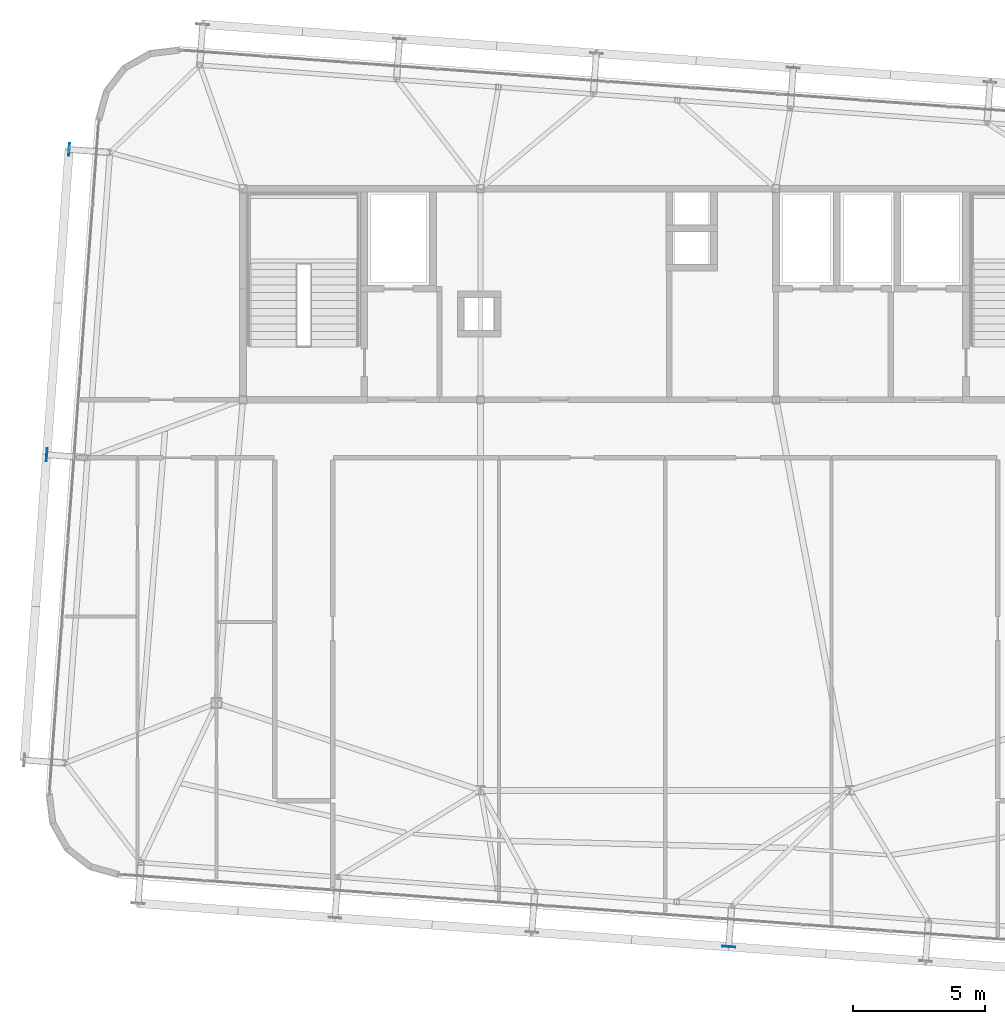
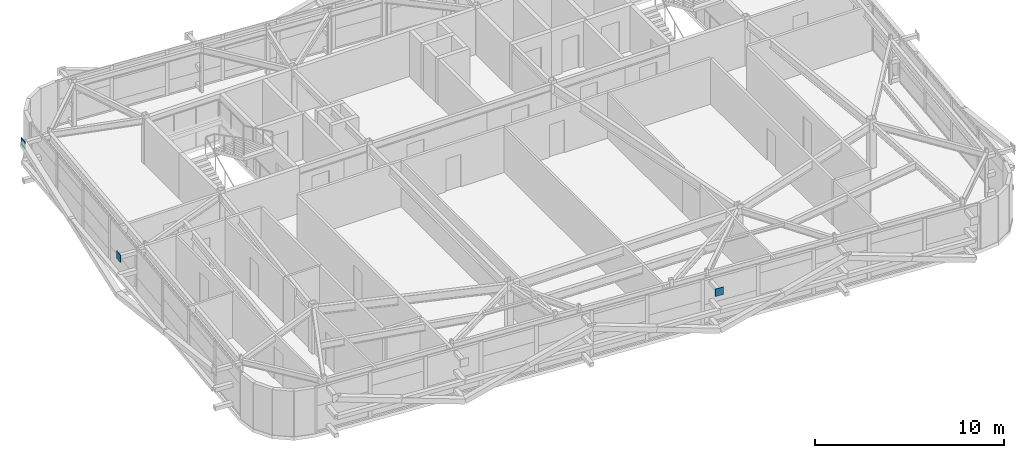
# One storey, part 32 of 42: 3 plates.
"""IFC4 building model written with IfcOpenShell, lengths in metres."""

from ifc_helpers import new_model, si_unit, direction, frame, origin, origin_2d, place, context, subcontext, project, spatial, rectangle, extrude, source, transform, mapped, material, layer, layer_set, type_object, element, save


model = new_model("IFC4")

# Units and contexts
model_context = context("Model", 3, precision=1e-05, world=origin(), true_north=direction((0.0, 1.0)))
body_context = subcontext(model_context, "Body", "Model", "MODEL_VIEW")
ifc_project = project(units=[si_unit("LENGTHUNIT", "METRE"), si_unit("AREAUNIT", "SQUARE_METRE"), si_unit("VOLUMEUNIT", "CUBIC_METRE"), si_unit("PLANEANGLEUNIT", "RADIAN"), si_unit("MASSUNIT", "GRAM", prefix="KILO")], contexts=[model_context])

# Site, building, storey
site_placement = place(None, origin())
site = spatial("IfcSite", under=ifc_project, at=site_placement, CompositionType="ELEMENT")
building_placement = place(site_placement, origin())
building = spatial("IfcBuilding", under=site, at=building_placement, Name="Taldren Reach Tower", CompositionType="ELEMENT")
storey_placement = place(building_placement, frame((0.0, 0.0, 220.85009765625)))
storey = spatial("IfcBuildingStorey", under=building, at=storey_placement, Name="L67", CompositionType="ELEMENT", Elevation=220.85009765625)

# Plates
ifc_material = material(Name="Steel Gr 450 (C450L0)", Category="steel")
ifc_layer = layer(ifc_material, 0.031982421875)
ifc_layer_set = layer_set([ifc_layer], Name="Steel Gr 450 (C450L0)")
plate_type = type_object("IfcPlateType", Name="PL-GUSSET-32", PredefinedType="SHEET", material=ifc_layer_set)
shared_shape = source(origin(), body_context, "Body", "SweptSolid", [
    extrude(rectangle(XDim=0.47998046875, YDim=0.031982421875, at=origin_2d()), origin(), (0.0, 0.0, 1.0), 0.47998046875),
])
for number, where, z_axis, x_axis, name in (
    (1, (37.406982421875, 3.27099609375, 2.409912109375), (0.0, 0.0, 1.0), (0.997314477224, -0.073238197128, 0.0), "Exoskeleton star-node gusset plate B5-S4 L67"),
    (2, (11.562744140625, 21.913818359375, 2.409912109375), (0.0, 0.0, 1.0), (0.073238197128, 0.997314477224, 0.0), "Exoskeleton star-node gusset plate B5-W2 L67"),
    (3, (12.412353515625, 33.482666015625, 2.409912109375), (0.0, 0.0, 1.0), (0.073238197128, 0.997314477224, 0.0), "Exoskeleton star-node gusset plate B5-W3 L67"),
):
    element("IfcPlate", number, at=place(storey_placement, frame(where, z_axis=z_axis, x_axis=x_axis)), inside=storey, type_object=plate_type, Name=name, PredefinedType="SHEET", context=body_context, shape_type="MappedRepresentation", body=[
        mapped(shared_shape, transform((0.0, 0.0, 0.0), scale=1.0)),
    ])

save(model, "model.ifc")
